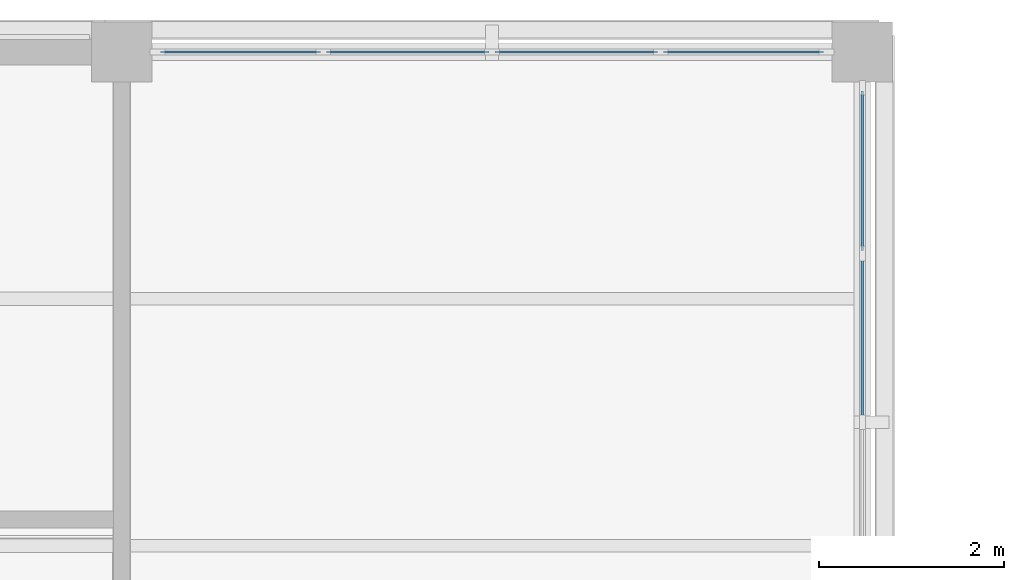
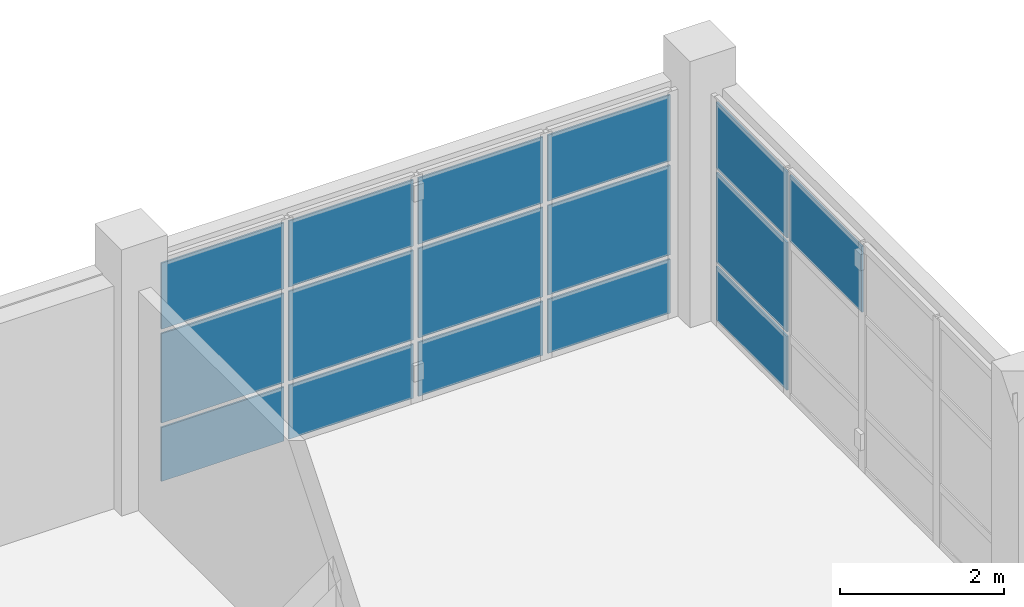
# One storey, part 60 of 92: 16 plates, 2 elements without a shape of their own.
"""IFC4 building model written with IfcOpenShell, lengths in metres."""

from ifc_helpers import new_model, si_unit, derived_unit, direction, frame, origin, origin_2d, place, context, subcontext, project, spatial, rectangle, extrude, material, layer, layer_set, type_object, element, aggregate, save


model = new_model("IFC4")

# Units and contexts
model_context = context("Model", 3, precision=1e-05, world=origin(), true_north=direction((0.0, 1.0)))
body_context = subcontext(model_context, "Body", "Model", "MODEL_VIEW")
ifc_project = project(units=[si_unit("LENGTHUNIT", "METRE"), si_unit("AREAUNIT", "SQUARE_METRE"), si_unit("VOLUMEUNIT", "CUBIC_METRE"), si_unit("PLANEANGLEUNIT", "RADIAN"), si_unit("MASSUNIT", "GRAM", prefix="KILO"), derived_unit("THERMALTRANSMITTANCEUNIT", [(si_unit("MASSUNIT", "GRAM", prefix="KILO"), 1), (si_unit("TIMEUNIT", "SECOND"), -3), (si_unit("THERMODYNAMICTEMPERATUREUNIT", "KELVIN"), -1)])], contexts=[model_context])

# Site, building, storey
site_placement = place(None, origin())
site = spatial("IfcSite", under=ifc_project, at=site_placement, CompositionType="ELEMENT")
building_placement = place(site_placement, origin())
building = spatial("IfcBuilding", under=site, at=building_placement, Name="Veyamyaing Civic Hall", CompositionType="ELEMENT")
storey_placement = place(building_placement, frame((0.0, 0.0, 17.820068359375)))
storey = spatial("IfcBuildingStorey", under=building, at=storey_placement, Name="L04", CompositionType="ELEMENT", Elevation=17.820068359375)

# Curtain wall, plates
ifc_material_1 = material(Name="Anodised aluminium 6063-T6", Category="aluminium")
ifc_layer_1 = layer(ifc_material_1, 0.159912109375, Name="Anodised aluminium 6063-T6")
ifc_layer_set_1 = layer_set([ifc_layer_1], Name="Anodised aluminium 6063-T6")
curtain_wall_type = type_object("IfcCurtainWallType", Name="CW-08", PredefinedType="NOTDEFINED", material=ifc_layer_set_1)
curtain_wall_1_placement = place(storey_placement, origin())
curtain_wall_1 = element("IfcCurtainWall", 1, at=curtain_wall_1_placement, inside=storey, type_object=curtain_wall_type, Name="Unitized curtain wall CW-08 L04 N 22.14", PredefinedType="NOTDEFINED")
ifc_material_2 = material(Name="Low-E insulated glass", Category="glass")
ifc_layer_2 = layer(ifc_material_2, 0.02392578125, Name="Low-E insulated glass")
ifc_layer_set_2 = layer_set([ifc_layer_2], Name="Low-E insulated glass")
plate_type = type_object("IfcPlateType", Name="CWP-04", PredefinedType="CURTAIN_PANEL", material=ifc_layer_set_2)
plate_1_placement = place(storey_placement, frame((169.282470703125, 112.0, 0.06494140625), z_axis=(0.0, 0.0, 1.0), x_axis=(1.0, 0.0, 0.0)))
plate_1 = element("IfcPlate", 2, at=plate_1_placement, type_object=plate_type, Name="CW-08 panel 1.1", PredefinedType="CURTAIN_PANEL", context=body_context, shape_type="SweptSolid", body=[
    extrude(rectangle(XDim=1.72509765625, YDim=0.02392578125, at=origin_2d()), origin(), (0.0, 0.0, 1.0), 0.802490234375),
])
plate_2_placement = place(storey_placement, frame((169.282470703125, 112.0, 0.9326171875), z_axis=(0.0, 0.0, 1.0), x_axis=(1.0, 0.0, 0.0)))
plate_2 = element("IfcPlate", 3, at=plate_2_placement, type_object=plate_type, Name="CW-08 panel 1.2", PredefinedType="CURTAIN_PANEL", context=body_context, shape_type="SweptSolid", body=[
    extrude(rectangle(XDim=1.72509765625, YDim=0.02392578125, at=origin_2d()), origin(), (0.0, 0.0, 1.0), 1.331298828125),
])
plate_3_placement = place(storey_placement, frame((169.282470703125, 112.0, 2.32861328125), z_axis=(0.0, 0.0, 1.0), x_axis=(1.0, 0.0, 0.0)))
plate_3 = element("IfcPlate", 4, at=plate_3_placement, type_object=plate_type, Name="CW-08 panel 1.3", PredefinedType="CURTAIN_PANEL", context=body_context, shape_type="SweptSolid", body=[
    extrude(rectangle(XDim=1.72509765625, YDim=0.02392578125, at=origin_2d()), origin(), (0.0, 0.0, 1.0), 0.983154296875),
])
plate_4_placement = place(storey_placement, frame((171.0888671875, 112.0, 0.06494140625), z_axis=(0.0, 0.0, 1.0), x_axis=(1.0, 0.0, 0.0)))
plate_4 = element("IfcPlate", 5, at=plate_4_placement, type_object=plate_type, Name="CW-08 panel 2.1", PredefinedType="CURTAIN_PANEL", context=body_context, shape_type="SweptSolid", body=[
    extrude(rectangle(XDim=1.757568359375, YDim=0.02392578125, at=origin_2d()), origin(), (0.0, 0.0, 1.0), 0.802490234375),
])
plate_5_placement = place(storey_placement, frame((171.0888671875, 112.0, 0.9326171875), z_axis=(0.0, 0.0, 1.0), x_axis=(1.0, 0.0, 0.0)))
plate_5 = element("IfcPlate", 6, at=plate_5_placement, type_object=plate_type, Name="CW-08 panel 2.2", PredefinedType="CURTAIN_PANEL", context=body_context, shape_type="SweptSolid", body=[
    extrude(rectangle(XDim=1.757568359375, YDim=0.02392578125, at=origin_2d()), origin(), (0.0, 0.0, 1.0), 1.331298828125),
])
plate_6_placement = place(storey_placement, frame((171.0888671875, 112.0, 2.32861328125), z_axis=(0.0, 0.0, 1.0), x_axis=(1.0, 0.0, 0.0)))
plate_6 = element("IfcPlate", 7, at=plate_6_placement, type_object=plate_type, Name="CW-08 panel 2.3", PredefinedType="CURTAIN_PANEL", context=body_context, shape_type="SweptSolid", body=[
    extrude(rectangle(XDim=1.757568359375, YDim=0.02392578125, at=origin_2d()), origin(), (0.0, 0.0, 1.0), 0.983154296875),
])
plate_7_placement = place(storey_placement, frame((172.9111328125, 112.0, 0.06494140625), z_axis=(0.0, 0.0, 1.0), x_axis=(1.0, 0.0, 0.0)))
plate_7 = element("IfcPlate", 8, at=plate_7_placement, type_object=plate_type, Name="CW-08 panel 3.1", PredefinedType="CURTAIN_PANEL", context=body_context, shape_type="SweptSolid", body=[
    extrude(rectangle(XDim=1.757568359375, YDim=0.02392578125, at=origin_2d()), origin(), (0.0, 0.0, 1.0), 0.802490234375),
])
plate_8_placement = place(storey_placement, frame((172.9111328125, 112.0, 0.9326171875), z_axis=(0.0, 0.0, 1.0), x_axis=(1.0, 0.0, 0.0)))
plate_8 = element("IfcPlate", 9, at=plate_8_placement, type_object=plate_type, Name="CW-08 panel 3.2", PredefinedType="CURTAIN_PANEL", context=body_context, shape_type="SweptSolid", body=[
    extrude(rectangle(XDim=1.757568359375, YDim=0.02392578125, at=origin_2d()), origin(), (0.0, 0.0, 1.0), 1.331298828125),
])
plate_9_placement = place(storey_placement, frame((172.9111328125, 112.0, 2.32861328125), z_axis=(0.0, 0.0, 1.0), x_axis=(1.0, 0.0, 0.0)))
plate_9 = element("IfcPlate", 10, at=plate_9_placement, type_object=plate_type, Name="CW-08 panel 3.3", PredefinedType="CURTAIN_PANEL", context=body_context, shape_type="SweptSolid", body=[
    extrude(rectangle(XDim=1.757568359375, YDim=0.02392578125, at=origin_2d()), origin(), (0.0, 0.0, 1.0), 0.983154296875),
])
plate_10_placement = place(storey_placement, frame((174.717529296875, 112.0, 0.06494140625), z_axis=(0.0, 0.0, 1.0), x_axis=(1.0, 0.0, 0.0)))
plate_10 = element("IfcPlate", 11, at=plate_10_placement, type_object=plate_type, Name="CW-08 panel 4.1", PredefinedType="CURTAIN_PANEL", context=body_context, shape_type="SweptSolid", body=[
    extrude(rectangle(XDim=1.72509765625, YDim=0.02392578125, at=origin_2d()), origin(), (0.0, 0.0, 1.0), 0.802490234375),
])
plate_11_placement = place(storey_placement, frame((174.717529296875, 112.0, 0.9326171875), z_axis=(0.0, 0.0, 1.0), x_axis=(1.0, 0.0, 0.0)))
plate_11 = element("IfcPlate", 12, at=plate_11_placement, type_object=plate_type, Name="CW-08 panel 4.2", PredefinedType="CURTAIN_PANEL", context=body_context, shape_type="SweptSolid", body=[
    extrude(rectangle(XDim=1.72509765625, YDim=0.02392578125, at=origin_2d()), origin(), (0.0, 0.0, 1.0), 1.331298828125),
])
plate_12_placement = place(storey_placement, frame((174.717529296875, 112.0, 2.32861328125), z_axis=(0.0, 0.0, 1.0), x_axis=(1.0, 0.0, 0.0)))
plate_12 = element("IfcPlate", 13, at=plate_12_placement, type_object=plate_type, Name="CW-08 panel 4.3", PredefinedType="CURTAIN_PANEL", context=body_context, shape_type="SweptSolid", body=[
    extrude(rectangle(XDim=1.72509765625, YDim=0.02392578125, at=origin_2d()), origin(), (0.0, 0.0, 1.0), 0.983154296875),
])
aggregate(curtain_wall_1, [plate_1, plate_2, plate_3, plate_4, plate_5, plate_6, plate_7, plate_8, plate_9, plate_10, plate_11, plate_12])

curtain_wall_2_placement = place(storey_placement, origin())
curtain_wall_2 = element("IfcCurtainWall", 14, at=curtain_wall_2_placement, inside=storey, type_object=curtain_wall_type, Name="Unitized curtain wall CW-08 L04 E 22.14", PredefinedType="NOTDEFINED")
plate_13_placement = place(storey_placement, frame((176.0, 108.9111328125, 2.32861328125), z_axis=(0.0, 0.0, 1.0), x_axis=(0.0, 1.0, 0.0)))
plate_13 = element("IfcPlate", 15, at=plate_13_placement, type_object=plate_type, Name="CW-08 panel 3.3", PredefinedType="CURTAIN_PANEL", context=body_context, shape_type="SweptSolid", body=[
    extrude(rectangle(XDim=1.757568359375, YDim=0.02392578125, at=origin_2d()), origin(), (0.0, 0.0, 1.0), 0.983154296875),
])
plate_14_placement = place(storey_placement, frame((176.0, 110.717529296875, 0.06494140625), z_axis=(0.0, 0.0, 1.0), x_axis=(0.0, 1.0, 0.0)))
plate_14 = element("IfcPlate", 16, at=plate_14_placement, type_object=plate_type, Name="CW-08 panel 4.1", PredefinedType="CURTAIN_PANEL", context=body_context, shape_type="SweptSolid", body=[
    extrude(rectangle(XDim=1.72509765625, YDim=0.02392578125, at=origin_2d()), origin(), (0.0, 0.0, 1.0), 0.802490234375),
])
plate_15_placement = place(storey_placement, frame((176.0, 110.717529296875, 0.9326171875), z_axis=(0.0, 0.0, 1.0), x_axis=(0.0, 1.0, 0.0)))
plate_15 = element("IfcPlate", 17, at=plate_15_placement, type_object=plate_type, Name="CW-08 panel 4.2", PredefinedType="CURTAIN_PANEL", context=body_context, shape_type="SweptSolid", body=[
    extrude(rectangle(XDim=1.72509765625, YDim=0.02392578125, at=origin_2d()), origin(), (0.0, 0.0, 1.0), 1.331298828125),
])
plate_16_placement = place(storey_placement, frame((176.0, 110.717529296875, 2.32861328125), z_axis=(0.0, 0.0, 1.0), x_axis=(0.0, 1.0, 0.0)))
plate_16 = element("IfcPlate", 18, at=plate_16_placement, type_object=plate_type, Name="CW-08 panel 4.3", PredefinedType="CURTAIN_PANEL", context=body_context, shape_type="SweptSolid", body=[
    extrude(rectangle(XDim=1.72509765625, YDim=0.02392578125, at=origin_2d()), origin(), (0.0, 0.0, 1.0), 0.983154296875),
])
aggregate(curtain_wall_2, [plate_13, plate_14, plate_15, plate_16])

save(model, "model.ifc")
